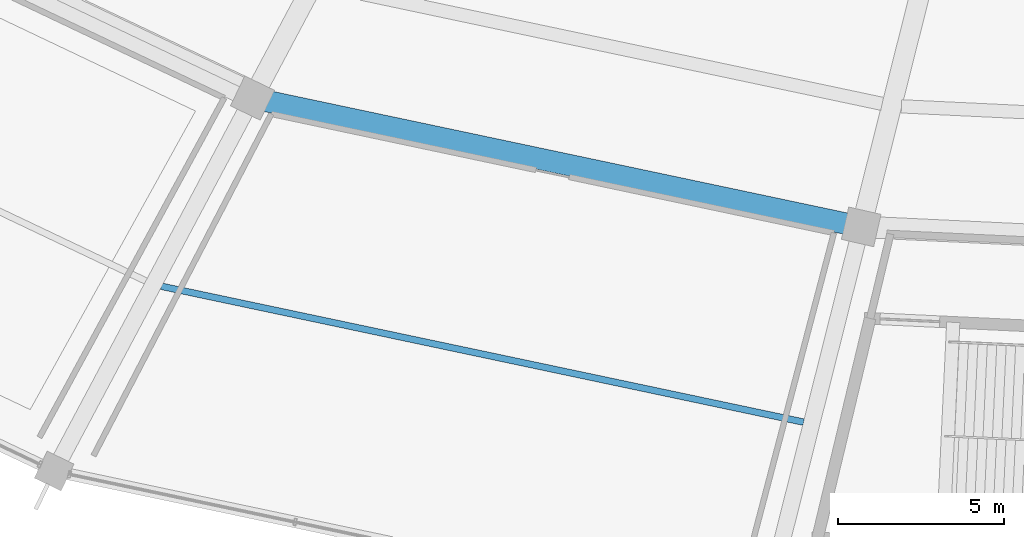
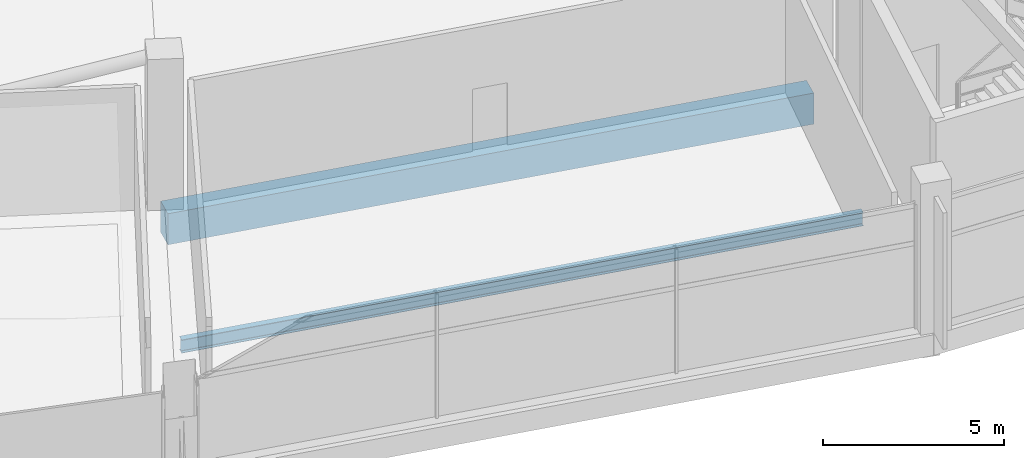
# One storey, part 19 of 184: 2 beams.
"""IFC4 building model written with IfcOpenShell, lengths in metres."""

from ifc_helpers import new_model, si_unit, direction, frame, origin, origin_2d, place, context, subcontext, project, spatial, rectangle, i_section, extrude, material, material_profile, profile_set, type_object, element, save


model = new_model("IFC4")

# Units and contexts
model_context = context("Model", 3, precision=1e-05, world=origin(), true_north=direction((0.0, 1.0)))
body_context = subcontext(model_context, "Body", "Model", "MODEL_VIEW")
ifc_project = project(units=[si_unit("LENGTHUNIT", "METRE"), si_unit("AREAUNIT", "SQUARE_METRE"), si_unit("VOLUMEUNIT", "CUBIC_METRE"), si_unit("PLANEANGLEUNIT", "RADIAN"), si_unit("MASSUNIT", "GRAM", prefix="KILO")], contexts=[model_context])

# Site, building, storey
site_placement = place(None, origin())
site = spatial("IfcSite", under=ifc_project, at=site_placement, CompositionType="ELEMENT")
building_placement = place(site_placement, origin())
building = spatial("IfcBuilding", under=site, at=building_placement, Name="Kazemori Nagisa Stadium", CompositionType="ELEMENT")
storey_placement = place(building_placement, frame((0.0, 0.0, 10.5400390625)))
storey = spatial("IfcBuildingStorey", under=building, at=storey_placement, Name="L02", CompositionType="ELEMENT", Elevation=10.5400390625)

# Beams
ifc_material_1 = material(Name="Concrete C40/50 (Fc42)", Category="concrete")
ifc_material_profile_1 = material_profile(ifc_material_1, rectangle(XDim=0.64990234375, YDim=1.050048828125, at=origin_2d()), Name="RC-BM-650x1050")
ifc_profile_set_1 = profile_set([ifc_material_profile_1], Name="Concrete C40/50 (Fc42)")
beam_type_1 = type_object("IfcBeamType", Name="Beam_BG-RC650X1050", PredefinedType="BEAM", material=ifc_profile_set_1)
beam_1_placement = place(storey_placement, frame((86.18798828125, 32.80078125, -0.78515625), z_axis=(0.978345149833, -0.206980114499, 0.0), x_axis=(0.206980114499, 0.978345149833, 0.0)))
element("IfcBeam", 1, at=beam_1_placement, inside=storey, type_object=beam_type_1, Name="Ring girder BG-RC650X1050 L02 R2-20", PredefinedType="BEAM", context=body_context, shape_type="SweptSolid", body=[
    extrude(rectangle(XDim=0.64990234375, YDim=1.050048828125, at=origin_2d()), origin(), (0.0, 0.0, 1.0), 18.791259765625),
])
ifc_material_2 = material(Name="Steel SN490B", Category="steel")
ifc_material_profile_2 = material_profile(ifc_material_2, i_section(OverallWidth=0.199951171875, OverallDepth=0.449951171875, WebThickness=0.009033203125, FlangeThickness=0.013916015625, FilletRadius=0.012939453125, at=origin_2d()), Name="H-450x200x9x14")
ifc_profile_set_2 = profile_set([ifc_material_profile_2], Name="Steel SN490B")
beam_type_2 = type_object("IfcBeamType", Name="Beam_BJ-H450", PredefinedType="JOIST", material=ifc_profile_set_2)
beam_2_placement = place(storey_placement, frame((83.431396484375, 27.117431640625, -0.485107421875), z_axis=(0.978345532316, -0.206978306584, 0.0), x_axis=(0.206978306584, 0.978345532316, 0.0)))
element("IfcBeam", 2, at=beam_2_placement, inside=storey, type_object=beam_type_2, Name="Outer bay joist BJ-H450 L02 B20", PredefinedType="JOIST", context=body_context, shape_type="SweptSolid", body=[
    extrude(i_section(OverallWidth=0.199951171875, OverallDepth=0.449951171875, WebThickness=0.009033203125, FlangeThickness=0.013916015625, FilletRadius=0.012939453125, at=origin_2d()), origin(), (0.0, 0.0, 1.0), 19.83056640625),
])

save(model, "model.ifc")
